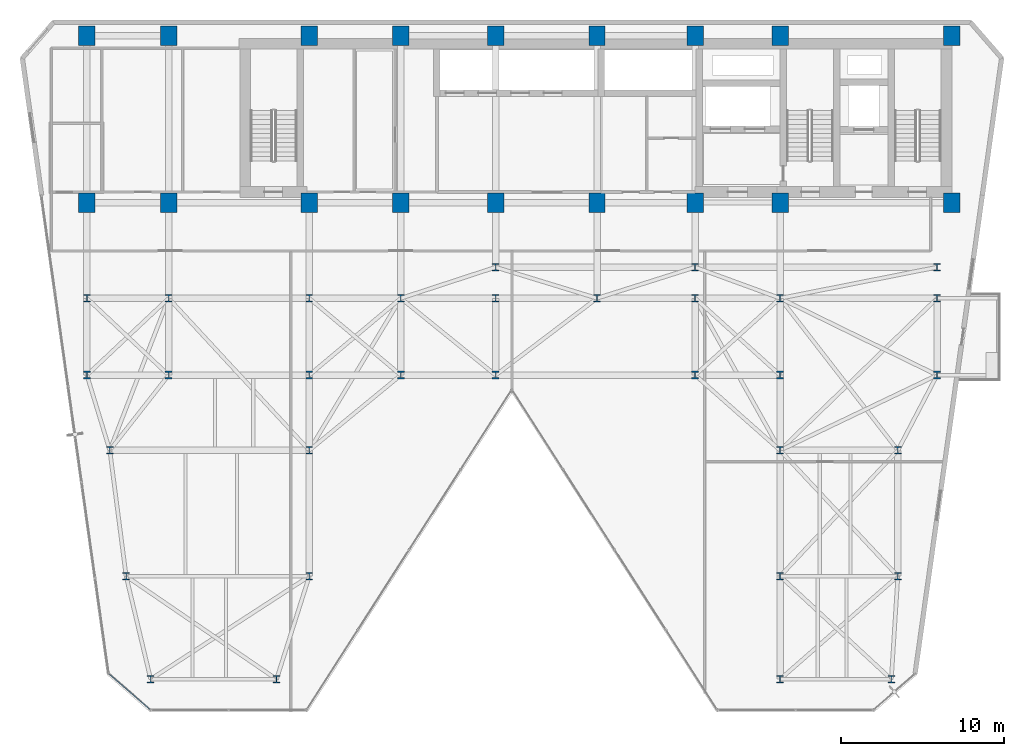
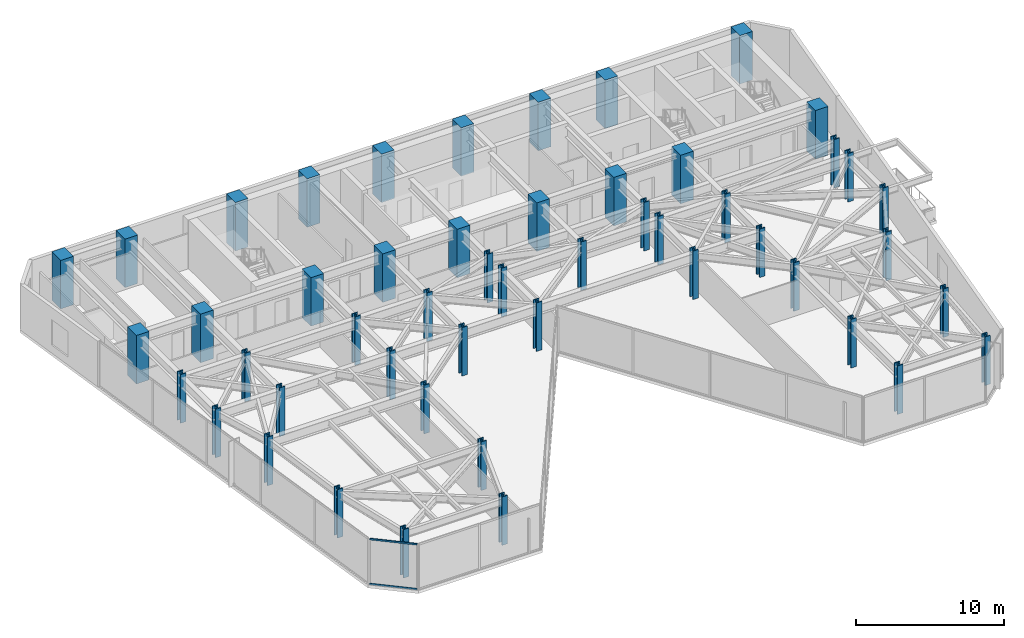
# One storey, part 1 of 26: 50 columns, 2 members, 1 element without a shape of its own.
"""IFC4 building model written with IfcOpenShell, lengths in metres."""

from ifc_helpers import new_model, si_unit, direction, frame, origin, origin_2d, place, context, subcontext, project, spatial, rectangle, hollow_rectangle, i_section, extrude, material, layer, layer_set, material_profile, profile_set, type_object, element, aggregate, save


model = new_model("IFC4")

# Units and contexts
model_context = context("Model", 3, precision=1e-05, world=origin(), true_north=direction((0.0, 1.0)))
body_context = subcontext(model_context, "Body", "Model", "MODEL_VIEW")
ifc_project = project(units=[si_unit("LENGTHUNIT", "METRE"), si_unit("AREAUNIT", "SQUARE_METRE"), si_unit("VOLUMEUNIT", "CUBIC_METRE"), si_unit("PLANEANGLEUNIT", "RADIAN"), si_unit("MASSUNIT", "GRAM", prefix="KILO")], contexts=[model_context])

# Site, building, storey
site_placement = place(None, origin())
site = spatial("IfcSite", under=ifc_project, at=site_placement, CompositionType="ELEMENT")
building_placement = place(site_placement, origin())
building = spatial("IfcBuilding", under=site, at=building_placement, Name="Kravanh Interchange Tower", CompositionType="ELEMENT")
storey_placement = place(building_placement, frame((0.0, 0.0, 124.0)))
storey = spatial("IfcBuildingStorey", under=building, at=storey_placement, Name="L29", CompositionType="ELEMENT", Elevation=124.0)

# Columns
ifc_material_1 = material(Name="Concrete C70/85", Category="concrete")
ifc_material_profile_1 = material_profile(ifc_material_1, rectangle(XDim=1.0, YDim=1.199951171875, at=origin_2d()), Name="RC1000X1200")
ifc_profile_set_1 = profile_set([ifc_material_profile_1], Name="Concrete C70/85")
column_type_1 = type_object("IfcColumnType", Name="Column RC1000X1200 Concrete C70/85", PredefinedType="COLUMN", material=ifc_profile_set_1)
for number, where, z_axis, x_axis, name in (
    (1, (66.5, 47.550048828125, 0.0), (0.0, 0.0, 1.0), (1.0, 0.0, 0.0), "L29 Column CS01"),
    (2, (56.0, 47.550048828125, 0.0), (0.0, 0.0, 1.0), (1.0, 0.0, 0.0), "L29 Column CS02"),
    (3, (66.5, 37.35009765625, 0.0), (0.0, 0.0, 1.0), (1.0, 0.0, 0.0), "L29 Column CS03"),
    (4, (56.0, 37.35009765625, 0.0), (0.0, 0.0, 1.0), (1.0, 0.0, 0.0), "L29 Column CS04"),
    (5, (50.800048828125, 47.550048828125, 0.0), (0.0, 0.0, 1.0), (1.0, 0.0, 0.0), "L29 Column CS05"),
    (6, (50.800048828125, 37.35009765625, 0.0), (0.0, 0.0, 1.0), (1.0, 0.0, 0.0), "L29 Column CS06"),
    (7, (44.800048828125, 37.35009765625, 0.0), (0.0, 0.0, 1.0), (1.0, 0.0, 0.0), "L29 Column CS07"),
    (8, (44.800048828125, 47.550048828125, 0.0), (0.0, 0.0, 1.0), (1.0, 0.0, 0.0), "L29 Column CS08"),
    (9, (38.60009765625, 37.35009765625, 0.0), (0.0, 0.0, 1.0), (1.0, 0.0, 0.0), "L29 Column CS09"),
    (10, (38.60009765625, 47.550048828125, 0.0), (0.0, 0.0, 1.0), (1.0, 0.0, 0.0), "L29 Column CS10"),
    (11, (32.800048828125, 37.35009765625, 0.0), (0.0, 0.0, 1.0), (1.0, 0.0, 0.0), "L29 Column CS11"),
    (12, (32.800048828125, 47.550048828125, 0.0), (0.0, 0.0, 1.0), (1.0, 0.0, 0.0), "L29 Column CS12"),
    (13, (27.199951171875, 37.35009765625, 0.0), (0.0, 0.0, 1.0), (1.0, 0.0, 0.0), "L29 Column CS13"),
    (14, (27.199951171875, 47.550048828125, 0.0), (0.0, 0.0, 1.0), (1.0, 0.0, 0.0), "L29 Column CS14"),
    (15, (18.60009765625, 37.35009765625, 0.0), (0.0, 0.0, 1.0), (1.0, 0.0, 0.0), "L29 Column CS17"),
    (16, (18.60009765625, 47.550048828125, 0.0), (0.0, 0.0, 1.0), (1.0, 0.0, 0.0), "L29 Column CS18"),
    (17, (13.60009765625, 37.35009765625, 0.0), (0.0, 0.0, 1.0), (1.0, 0.0, 0.0), "L29 Column CS19"),
    (18, (13.60009765625, 47.550048828125, 0.0), (0.0, 0.0, 1.0), (1.0, 0.0, 0.0), "L29 Column CS20"),
):
    element("IfcColumn", number, at=place(storey_placement, frame(where, z_axis=z_axis, x_axis=x_axis)), inside=storey, type_object=column_type_1, Name=name, PredefinedType="COLUMN", context=body_context, shape_type="SweptSolid", body=[
        extrude(rectangle(XDim=1.0, YDim=1.199951171875, at=origin_2d()), origin(), (0.0, 0.0, 1.0), 4.0),
    ])
ifc_material_2 = material(Name="Structural Steel S450", Category="steel")
ifc_material_profile_2 = material_profile(ifc_material_2, i_section(OverallWidth=0.424072265625, OverallDepth=0.47412109375, WebThickness=0.047607421875, FlangeThickness=0.0771484375, FilletRadius=0.030029296875, at=origin_2d()), Name="W14X426")
ifc_profile_set_2 = profile_set([ifc_material_profile_2], Name="Structural Steel S450")
column_type_2 = type_object("IfcColumnType", Name="Column W14X426 Structural Steel S450", PredefinedType="COLUMN", material=ifc_profile_set_2)
for number, where, z_axis, x_axis, name in (
    (19, (17.5, 8.199951171875, 0.0), (0.0, 0.0, 1.0), (1.0, 0.0, 0.0), "L29 Column CZ2_1"),
    (20, (13.60009765625, 26.800048828125, 0.0), (0.0, 0.0, 1.0), (1.0, 0.0, 0.0), "L29 Column CZ2_11"),
    (21, (18.60009765625, 26.800048828125, 0.0), (0.0, 0.0, 1.0), (1.0, 0.0, 0.0), "L29 Column CZ2_12"),
    (22, (27.199951171875, 26.800048828125, 0.0), (0.0, 0.0, 1.0), (1.0, 0.0, 0.0), "L29 Column CZ2_13"),
    (23, (32.800048828125, 26.800048828125, 0.0), (0.0, 0.0, 1.0), (1.0, 0.0, 0.0), "L29 Column CZ2_14"),
    (24, (38.60009765625, 26.800048828125, 0.0), (0.0, 0.0, 1.0), (1.0, 0.0, 0.0), "L29 Column CZ2_14B"),
    (25, (50.800048828125, 26.800048828125, 0.0), (0.0, 0.0, 1.0), (1.0, 0.0, 0.0), "L29 Column CZ2_15"),
    (26, (56.0, 26.800048828125, 0.0), (0.0, 0.0, 1.0), (1.0, 0.0, 0.0), "L29 Column CZ2_16"),
    (27, (65.60009765625, 26.800048828125, 0.0), (0.0, 0.0, 1.0), (1.0, 0.0, 0.0), "L29 Column CZ2_17"),
    (28, (13.60009765625, 31.5, 0.0), (0.0, 0.0, 1.0), (1.0, 0.0, 0.0), "L29 Column CZ2_18"),
    (29, (18.60009765625, 31.5, 0.0), (0.0, 0.0, 1.0), (1.0, 0.0, 0.0), "L29 Column CZ2_18B"),
    (30, (27.199951171875, 31.5, 0.0), (0.0, 0.0, 1.0), (1.0, 0.0, 0.0), "L29 Column CZ2_19"),
    (31, (25.199951171875, 8.199951171875, 0.0), (0.0, 0.0, 1.0), (1.0, 0.0, 0.0), "L29 Column CZ2_2"),
    (32, (32.800048828125, 31.5, 0.0), (0.0, 0.0, 1.0), (1.0, 0.0, 0.0), "L29 Column CZ2_20"),
    (33, (38.60009765625, 31.5, 0.0), (0.0, 0.0, 1.0), (1.0, 0.0, 0.0), "L29 Column CZ2_21"),
    (34, (44.800048828125, 31.5, 0.0), (0.0, 0.0, 1.0), (1.0, 0.0, 0.0), "L29 Column CZ2_22"),
    (35, (50.800048828125, 31.5, 0.0), (0.0, 0.0, 1.0), (1.0, 0.0, 0.0), "L29 Column CZ2_23"),
    (36, (56.0, 31.5, 0.0), (0.0, 0.0, 1.0), (1.0, 0.0, 0.0), "L29 Column CZ2_24"),
    (37, (65.60009765625, 31.5, 0.0), (0.0, 0.0, 1.0), (1.0, 0.0, 0.0), "L29 Column CZ2_25"),
    (38, (56.0, 8.199951171875, 0.0), (0.0, 0.0, 1.0), (1.0, 0.0, 0.0), "L29 Column CZ2_3"),
    (39, (62.800048828125, 8.199951171875, 0.0), (0.0, 0.0, 1.0), (1.0, 0.0, 0.0), "L29 Column CZ2_4"),
    (40, (16.0, 14.5, 0.0), (0.0, 0.0, 1.0), (1.0, 0.0, 0.0), "L29 Column CZ2_5"),
    (41, (27.199951171875, 14.5, 0.0), (0.0, 0.0, 1.0), (1.0, 0.0, 0.0), "L29 Column CZ2_5B"),
    (42, (56.0, 14.5, 0.0), (0.0, 0.0, 1.0), (1.0, 0.0, 0.0), "L29 Column CZ2_5C"),
    (43, (63.199951171875, 14.5, 0.0), (0.0, 0.0, 1.0), (1.0, 0.0, 0.0), "L29 Column CZ2_5D"),
    (44, (15.0, 22.199951171875, 0.0), (0.0, 0.0, 1.0), (1.0, 0.0, 0.0), "L29 Column CZ2_6"),
    (45, (27.199951171875, 22.199951171875, 0.0), (0.0, 0.0, 1.0), (1.0, 0.0, 0.0), "L29 Column CZ2_7"),
    (46, (56.0, 22.199951171875, 0.0), (0.0, 0.0, 1.0), (1.0, 0.0, 0.0), "L29 Column CZ2_8"),
    (47, (63.199951171875, 22.199951171875, 0.0), (0.0, 0.0, 1.0), (1.0, 0.0, 0.0), "L29 Column CZ2_9"),
    (48, (38.60009765625, 33.39990234375, 0.0), (0.0, 0.0, 1.0), (1.0, 0.0, 0.0), "L29 Column CZ2_M1"),
    (49, (50.800048828125, 33.39990234375, 0.0), (0.0, 0.0, 1.0), (1.0, 0.0, 0.0), "L29 Column CZ2_M2"),
    (50, (65.60009765625, 33.39990234375, 0.0), (0.0, 0.0, 1.0), (1.0, 0.0, 0.0), "L29 Column CZ2_M3"),
):
    element("IfcColumn", number, at=place(storey_placement, frame(where, z_axis=z_axis, x_axis=x_axis)), inside=storey, type_object=column_type_2, Name=name, PredefinedType="COLUMN", context=body_context, shape_type="SweptSolid", body=[
        extrude(i_section(OverallWidth=0.424072265625, OverallDepth=0.47412109375, WebThickness=0.047607421875, FlangeThickness=0.0771484375, FilletRadius=0.030029296875, at=origin_2d()), origin(), (0.0, 0.0, 1.0), 4.0),
    ])

# Curtain wall, members
ifc_material_3 = material(Name="Anodised Bronze Aluminium", Category="aluminium")
ifc_layer = layer(ifc_material_3, 0.179931640625)
ifc_layer_set = layer_set([ifc_layer], Name="Unitised Curtain Wall System CW-Z2 Mid Office")
curtain_wall_type = type_object("IfcCurtainWallType", Name="Unitised Curtain Wall System CW-Z2 Mid Office", PredefinedType="NOTDEFINED", material=ifc_layer_set)
curtain_wall_placement = place(storey_placement, origin())
curtain_wall = element("IfcCurtainWall", 51, at=curtain_wall_placement, inside=storey, type_object=curtain_wall_type, Name="L29 Unitised Curtain Wall CW-L29-07", PredefinedType="NOTDEFINED")
ifc_material_4 = material(Name="Anodised Bronze Aluminium", Category="aluminium")
ifc_material_profile_3 = material_profile(ifc_material_4, hollow_rectangle(XDim=0.06005859375, YDim=0.139892578125, WallThickness=0.00390625, at=origin_2d()), Name="ALU60X140X4")
ifc_profile_set_3 = profile_set([ifc_material_profile_3], Name="Anodised Bronze Aluminium")
member_type = type_object("IfcMemberType", Name="Curtain Wall Transom ALU60X140X4 Bronze", PredefinedType="USERDEFINED", material=ifc_profile_set_3)
member_1_placement = place(storey_placement, frame((17.444580078125, 6.359375, 0.030029296875), z_axis=(-0.754742467432, 0.656021194669, 0.0), x_axis=(-0.656021194669, -0.754742467432, 0.0)))
member_1 = element("IfcMember", 52, at=member_1_placement, type_object=member_type, Name="CW-Z2 transom 1.1", ObjectType="TRANSOM", PredefinedType="USERDEFINED", context=body_context, shape_type="SweptSolid", body=[
    extrude(hollow_rectangle(XDim=0.06005859375, YDim=0.139892578125, WallThickness=0.00390625, at=origin_2d()), origin(), (0.0, 0.0, 1.0), 3.261962890625),
])
member_2_placement = place(storey_placement, frame((17.444580078125, 6.359375, 3.719970703125), z_axis=(-0.754742467432, 0.656021194669, 0.0), x_axis=(-0.656021194669, -0.754742467432, 0.0)))
member_2 = element("IfcMember", 53, at=member_2_placement, type_object=member_type, Name="CW-Z2 transom 1.2", ObjectType="TRANSOM", PredefinedType="USERDEFINED", context=body_context, shape_type="SweptSolid", body=[
    extrude(hollow_rectangle(XDim=0.06005859375, YDim=0.139892578125, WallThickness=0.00390625, at=origin_2d()), origin(), (0.0, 0.0, 1.0), 3.261962890625),
])
aggregate(curtain_wall, [member_1, member_2])

save(model, "model.ifc")
